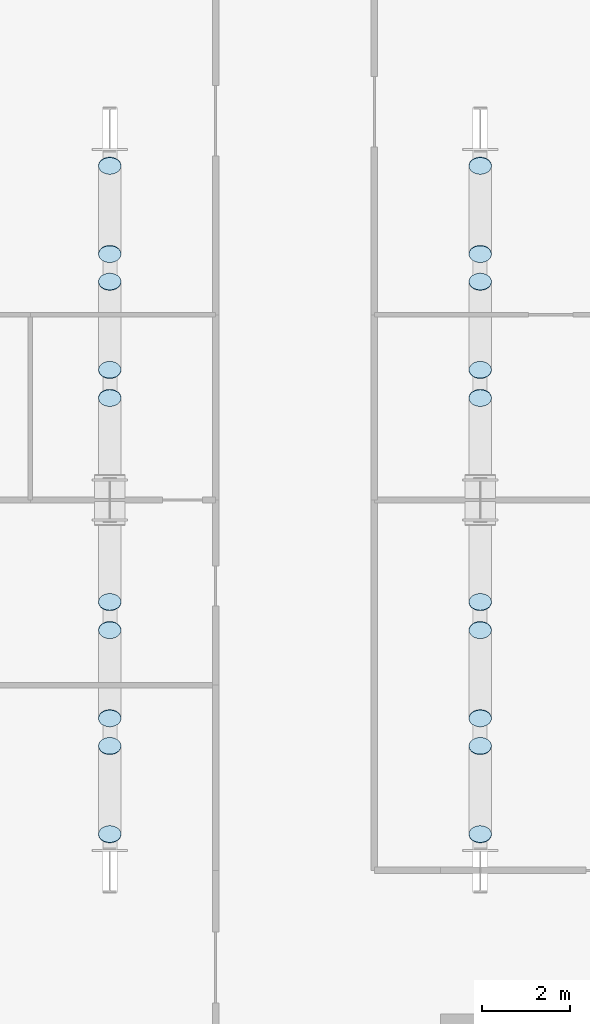
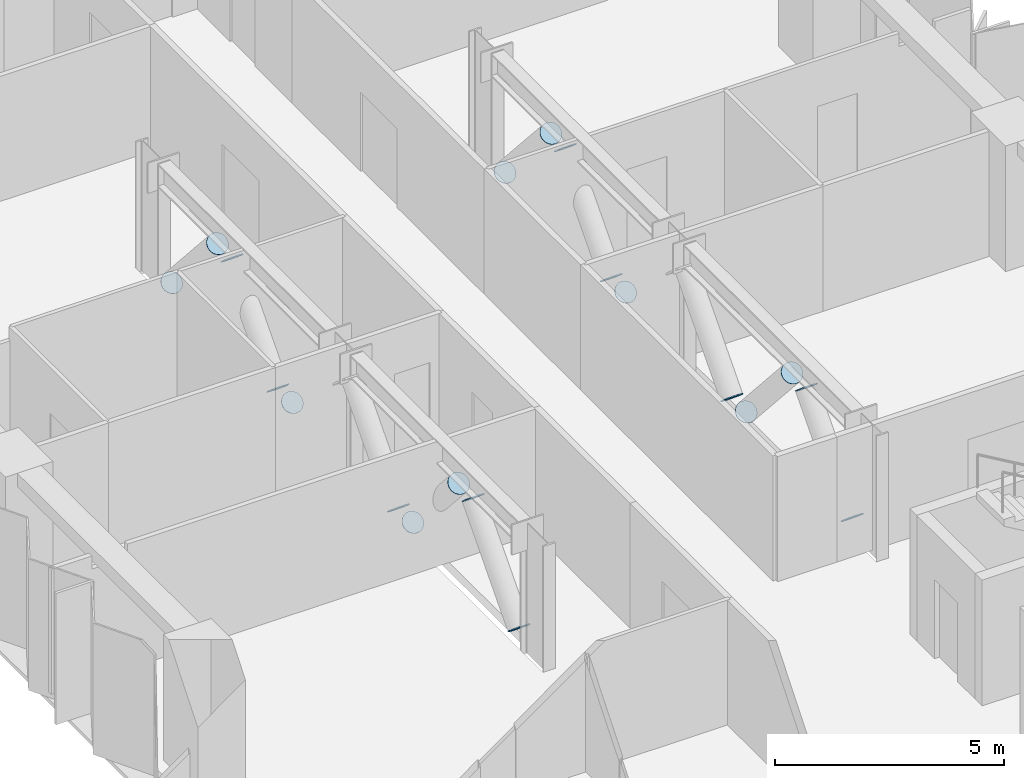
# One storey, part 8 of 18: 20 plates.
"""IFC4 building model written with IfcOpenShell, lengths in metres."""

from ifc_helpers import new_model, si_unit, direction, frame, origin, origin_2d, place, context, subcontext, project, spatial, circle, extrude, material, material_profile, profile_set, type_object, element, save


model = new_model("IFC4")

# Units and contexts
model_context = context("Model", 3, precision=1e-05, world=origin(), true_north=direction((0.0, 1.0)))
body_context = subcontext(model_context, "Body", "Model", "MODEL_VIEW")
ifc_project = project(units=[si_unit("LENGTHUNIT", "METRE"), si_unit("AREAUNIT", "SQUARE_METRE"), si_unit("VOLUMEUNIT", "CUBIC_METRE"), si_unit("PLANEANGLEUNIT", "RADIAN"), si_unit("MASSUNIT", "GRAM", prefix="KILO")], contexts=[model_context])

# Site, building, storey
site_placement = place(None, origin())
site = spatial("IfcSite", under=ifc_project, at=site_placement, CompositionType="ELEMENT")
building_placement = place(site_placement, origin())
building = spatial("IfcBuilding", under=site, at=building_placement, Name="Brevane Broadcast Tower", CompositionType="ELEMENT")
storey_placement = place(building_placement, frame((0.0, 0.0, 40.10009765625)))
storey = spatial("IfcBuildingStorey", under=building, at=storey_placement, Name="L07", CompositionType="ELEMENT", Elevation=40.10009765625)

# Plates
ifc_material = material(Name="Steel S355", Category="steel")
ifc_material_profile = material_profile(ifc_material, circle(Radius=0.25390625, at=origin_2d()), Name="PL 508 DIA x 15")
ifc_profile_set = profile_set([ifc_material_profile], Name="Steel S355")
plate_type = type_object("IfcPlateType", Name="STEEL END CAP PLATE 508 DIA x 15", PredefinedType="SHEET", material=ifc_profile_set)
for number, where, z_axis, x_axis, name in (
    (1, (8.39990234375, 34.4150390625, 0.325439453125), (0.0, 0.665370524754, 0.746513271676), (-1.0, 0.0, 0.0), "End cap plate EC1-144"),
    (2, (8.39990234375, 36.4150390625, 2.578125), (0.0, 0.665370524754, 0.746513271676), (-1.0, 0.0, 0.0), "End cap plate EC1-145"),
    (3, (8.39990234375, 39.05712890625, 0.325439453125), (0.0, -0.665370524754, 0.746513271676), (1.0, 0.0, 0.0), "End cap plate EC1-146"),
    (4, (8.39990234375, 37.056884765625, 2.578125), (0.0, -0.665370524754, 0.746513271676), (1.0, 0.0, 0.0), "End cap plate EC1-147"),
    (5, (8.39990234375, 39.678955078125, 0.325439453125), (0.0, 0.665370524754, 0.746513271676), (-1.0, 0.0, 0.0), "End cap plate EC1-148"),
    (6, (8.39990234375, 44.321044921875, 0.325439453125), (0.0, -0.665370524754, 0.746513271676), (1.0, 0.0, 0.0), "End cap plate EC1-149"),
    (7, (8.39990234375, 44.94287109375, 0.325439453125), (0.0, 0.665370524754, 0.746513271676), (-1.0, 0.0, 0.0), "End cap plate EC1-150"),
    (8, (8.39990234375, 46.943115234375, 2.578125), (0.0, 0.665370524754, 0.746513271676), (-1.0, 0.0, 0.0), "End cap plate EC1-151"),
    (9, (8.39990234375, 49.5849609375, 0.325439453125), (0.0, -0.665370524754, 0.746513271676), (1.0, 0.0, 0.0), "End cap plate EC1-152"),
    (10, (8.39990234375, 47.5849609375, 2.578125), (0.0, -0.665370524754, 0.746513271676), (1.0, 0.0, 0.0), "End cap plate EC1-153"),
    (11, (16.800048828125, 34.4150390625, 0.325439453125), (0.0, 0.665370524754, 0.746513271676), (-1.0, 0.0, 0.0), "End cap plate EC1-164"),
    (12, (16.800048828125, 36.4150390625, 2.578125), (0.0, 0.665370524754, 0.746513271676), (-1.0, 0.0, 0.0), "End cap plate EC1-165"),
    (13, (16.800048828125, 39.05712890625, 0.325439453125), (0.0, -0.665370524754, 0.746513271676), (1.0, 0.0, 0.0), "End cap plate EC1-166"),
    (14, (16.800048828125, 37.056884765625, 2.578125), (0.0, -0.665370524754, 0.746513271676), (1.0, 0.0, 0.0), "End cap plate EC1-167"),
    (15, (16.800048828125, 39.678955078125, 0.325439453125), (0.0, 0.665370524754, 0.746513271676), (-1.0, 0.0, 0.0), "End cap plate EC1-168"),
    (16, (16.800048828125, 44.321044921875, 0.325439453125), (0.0, -0.665370524754, 0.746513271676), (1.0, 0.0, 0.0), "End cap plate EC1-169"),
    (17, (16.800048828125, 44.94287109375, 0.325439453125), (0.0, 0.665370524754, 0.746513271676), (-1.0, 0.0, 0.0), "End cap plate EC1-170"),
    (18, (16.800048828125, 46.943115234375, 2.578125), (0.0, 0.665370524754, 0.746513271676), (-1.0, 0.0, 0.0), "End cap plate EC1-171"),
    (19, (16.800048828125, 49.5849609375, 0.325439453125), (0.0, -0.665370524754, 0.746513271676), (1.0, 0.0, 0.0), "End cap plate EC1-172"),
    (20, (16.800048828125, 47.5849609375, 2.578125), (0.0, -0.665370524754, 0.746513271676), (1.0, 0.0, 0.0), "End cap plate EC1-173"),
):
    element("IfcPlate", number, at=place(storey_placement, frame(where, z_axis=z_axis, x_axis=x_axis)), inside=storey, type_object=plate_type, Name=name, PredefinedType="SHEET", context=body_context, shape_type="SweptSolid", body=[
        extrude(circle(Radius=0.25390625, at=origin_2d()), origin(), (0.0, 0.0, 1.0), 0.01513671875),
    ])

save(model, "model.ifc")
